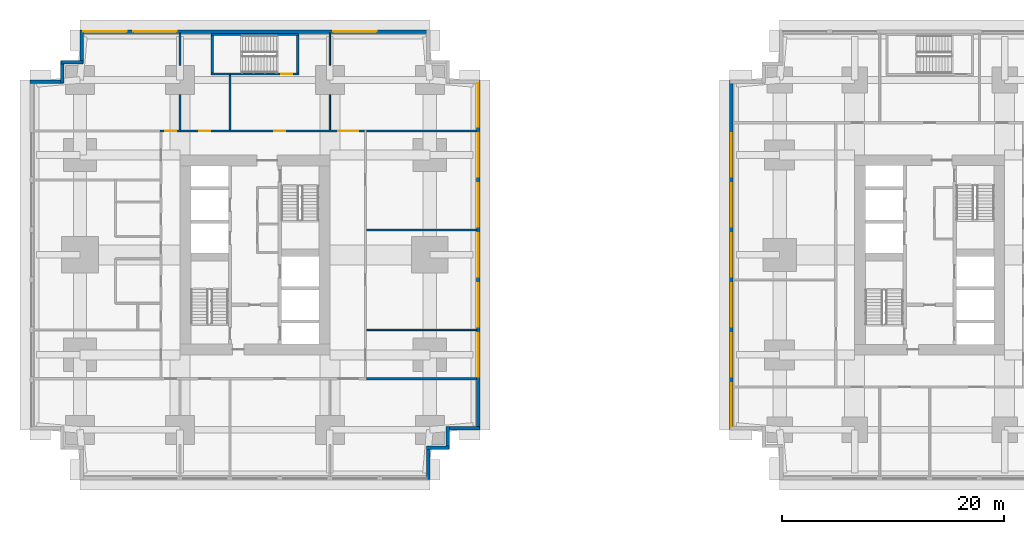
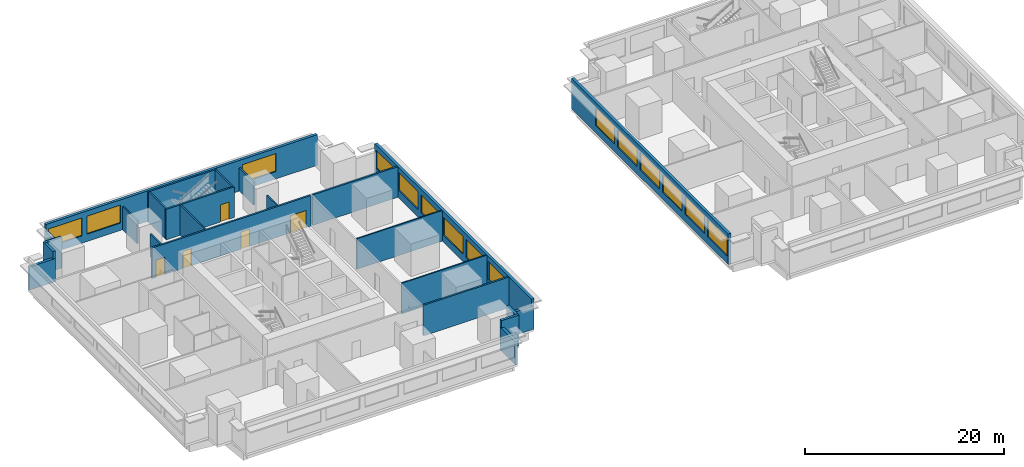
# One storey, part 5 of 11: 25 walls, 15 windows, 5 doors, 20 openings.
"""IFC4 building model written with IfcOpenShell, lengths in metres."""

from ifc_helpers import new_model, si_unit, direction, frame, frame_2d, origin, place, context, subcontext, project, spatial, rectangle, extrude, material, layer, layer_set, type_object, element, fill, save


model = new_model("IFC4")

# Units and contexts
model_context = context("Model", 3, precision=1e-05, world=origin(), true_north=direction((0.0, 1.0)))
body_context = subcontext(model_context, "Body", "Model", "MODEL_VIEW")
ifc_project = project(units=[si_unit("LENGTHUNIT", "METRE"), si_unit("AREAUNIT", "SQUARE_METRE"), si_unit("VOLUMEUNIT", "CUBIC_METRE"), si_unit("PLANEANGLEUNIT", "RADIAN"), si_unit("MASSUNIT", "GRAM", prefix="KILO")], contexts=[model_context])

# Site, building, storey
site_placement = place(None, origin())
site = spatial("IfcSite", under=ifc_project, at=site_placement, CompositionType="ELEMENT")
building_placement = place(site_placement, origin())
building = spatial("IfcBuilding", under=site, at=building_placement, Name="Namib Vertical Campus", CompositionType="ELEMENT")
storey_placement = place(building_placement, frame((0.0, 0.0, 41.0)))
storey = spatial("IfcBuildingStorey", under=building, at=storey_placement, Name="L09", CompositionType="ELEMENT", Elevation=41.0)

# Wall, openings, doors
ifc_material_1 = material(Name="Concrete masonry", Category="masonry")
ifc_layer_1 = layer(ifc_material_1, 0.199951171875)
ifc_layer_set_1 = layer_set([ifc_layer_1], Name="Corridor wall 200")
wall_type_1 = type_object("IfcWallType", Name="Corridor wall 200", PredefinedType="SOLIDWALL", material=ifc_layer_set_1)
wall_1_placement = place(storey_placement, frame((30.10009765625, 31.39990234375, 0.0), z_axis=(0.0, 0.0, 1.0), x_axis=(-1.0, 0.0, 0.0)))
wall_1 = element("IfcWall", 1, at=wall_1_placement, inside=storey, type_object=wall_type_1, Name="Corridor wall A L09 CN", PredefinedType="SOLIDWALL", context=body_context, shape_type="SweptSolid", body=[
    extrude(rectangle(XDim=18.400146484375, YDim=0.199951171875, at=frame_2d((9.2001953125, 0.0))), origin(), (0.0, 0.0, 1.0), 3.75),
])
opening_1_placement = place(wall_1_placement, frame((16.925048828125, 0.0, 0.0)))
opening_1 = element("IfcOpeningElement", 2, at=opening_1_placement, cuts=wall_1, Name="Opening CD1", PredefinedType="OPENING", context=body_context, shape_type="SweptSolid", body=[
    extrude(rectangle(XDim=1.0, YDim=2.10009765625, at=frame_2d((0.5, 1.050048828125))), frame((0.0, 0.10986328125, 0.0), z_axis=(0.0, -1.0, 0.0), x_axis=(1.0, 0.0, 0.0)), (0.0, 0.0, 1.0), 0.219970703125),
])
opening_2_placement = place(wall_1_placement, frame((13.85009765625, 0.0, 0.0)))
opening_2 = element("IfcOpeningElement", 3, at=opening_2_placement, cuts=wall_1, Name="Opening CD1", PredefinedType="OPENING", context=body_context, shape_type="SweptSolid", body=[
    extrude(rectangle(XDim=1.0, YDim=2.10009765625, at=frame_2d((0.5, 1.050048828125))), frame((0.0, 0.10986328125, 0.0), z_axis=(0.0, -1.0, 0.0), x_axis=(1.0, 0.0, 0.0)), (0.0, 0.0, 1.0), 0.219970703125),
])
opening_3_placement = place(wall_1_placement, frame((7.10009765625, 0.0, 0.0)))
opening_3 = element("IfcOpeningElement", 4, at=opening_3_placement, cuts=wall_1, Name="Opening CD4", PredefinedType="OPENING", context=body_context, shape_type="SweptSolid", body=[
    extrude(rectangle(XDim=1.0, YDim=2.10009765625, at=frame_2d((0.5, 1.050048828125))), frame((0.0, 0.10986328125, 0.0), z_axis=(0.0, -1.0, 0.0), x_axis=(1.0, 0.0, 0.0)), (0.0, 0.0, 1.0), 0.219970703125),
])
opening_4_placement = place(wall_1_placement, frame((0.550048828125, 0.0, 0.0)))
opening_4 = element("IfcOpeningElement", 5, at=opening_4_placement, cuts=wall_1, Name="Opening CD2", PredefinedType="OPENING", context=body_context, shape_type="SweptSolid", body=[
    extrude(rectangle(XDim=1.800048828125, YDim=2.10009765625, at=frame_2d((0.89990234375, 1.050048828125))), frame((0.0, 0.10986328125, 0.0), z_axis=(0.0, -1.0, 0.0), x_axis=(1.0, 0.0, 0.0)), (0.0, 0.0, 1.0), 0.219970703125),
])
ifc_material_2 = material(Name="Timber fire door leaf", Category="wood")
door_type_1 = type_object("IfcDoorType", Name="Corridor door 1000x2100 20 min", OperationType="SINGLE_SWING_LEFT", PredefinedType="DOOR", material=ifc_material_2)
door_1_placement = place(opening_1_placement, frame((1.0, 0.0, 0.0), z_axis=(0.0, 0.0, 1.0), x_axis=(-1.0, 0.0, 0.0)))
door_1 = element("IfcDoor", 6, at=door_1_placement, inside=storey, type_object=door_type_1, Name="Door CD1 A09-08", OperationType="SINGLE_SWING_RIGHT", OverallHeight=2.10009765625, OverallWidth=1.0, PredefinedType="DOOR", context=body_context, shape_type="SweptSolid", body=[
    extrude(rectangle(XDim=1.0, YDim=2.10009765625, at=frame_2d((0.5, 1.050048828125))), frame((0.0, 0.02490234375, 0.0), z_axis=(0.0, -1.0, 0.0), x_axis=(1.0, 0.0, 0.0)), (0.0, 0.0, 1.0), 0.050048828125),
])
fill(opening_1, door_1)
door_2_placement = place(opening_2_placement, frame((1.0, 0.0, 0.0), z_axis=(0.0, 0.0, 1.0), x_axis=(-1.0, 0.0, 0.0)))
door_2 = element("IfcDoor", 7, at=door_2_placement, inside=storey, type_object=door_type_1, Name="Door CD1 A09-09", OperationType="SINGLE_SWING_RIGHT", OverallHeight=2.10009765625, OverallWidth=1.0, PredefinedType="DOOR", context=body_context, shape_type="SweptSolid", body=[
    extrude(rectangle(XDim=1.0, YDim=2.10009765625, at=frame_2d((0.5, 1.050048828125))), frame((0.0, 0.02490234375, 0.0), z_axis=(0.0, -1.0, 0.0), x_axis=(1.0, 0.0, 0.0)), (0.0, 0.0, 1.0), 0.050048828125),
])
fill(opening_2, door_2)
ifc_material_3 = material(Name="Timber fire door leaf", Category="wood")
door_type_2 = type_object("IfcDoorType", Name="Corridor door 1000x2100 20 min double-acting", OperationType="DOUBLE_SWING_LEFT", PredefinedType="DOOR", material=ifc_material_3)
door_3_placement = place(opening_3_placement, origin())
door_3 = element("IfcDoor", 8, at=door_3_placement, inside=storey, type_object=door_type_2, Name="Door CD4 A09-10", OperationType="DOUBLE_SWING_LEFT", OverallHeight=2.10009765625, OverallWidth=1.0, PredefinedType="DOOR", context=body_context, shape_type="SweptSolid", body=[
    extrude(rectangle(XDim=1.0, YDim=2.10009765625, at=frame_2d((0.5, 1.050048828125))), frame((0.0, 0.02490234375, 0.0), z_axis=(0.0, -1.0, 0.0), x_axis=(1.0, 0.0, 0.0)), (0.0, 0.0, 1.0), 0.050048828125),
])
fill(opening_3, door_3)
ifc_material_4 = material(Name="Timber fire door leaf", Category="wood")
door_type_3 = type_object("IfcDoorType", Name="Corridor door double 1800x2100 20 min", OperationType="DOUBLE_DOOR_SINGLE_SWING", PredefinedType="DOOR", material=ifc_material_4)
door_4_placement = place(opening_4_placement, frame((1.800048828125, 0.0, 0.0), z_axis=(0.0, 0.0, 1.0), x_axis=(-1.0, 0.0, 0.0)))
door_4 = element("IfcDoor", 9, at=door_4_placement, inside=storey, type_object=door_type_3, Name="Door CD2 A09-11", OperationType="DOUBLE_DOOR_SINGLE_SWING", OverallHeight=2.10009765625, OverallWidth=1.800048828125, PredefinedType="DOOR", context=body_context, shape_type="SweptSolid", body=[
    extrude(rectangle(XDim=1.800048828125, YDim=2.10009765625, at=frame_2d((0.89990234375, 1.050048828125))), frame((0.0, 0.02490234375, 0.0), z_axis=(0.0, -1.0, 0.0), x_axis=(1.0, 0.0, 0.0)), (0.0, 0.0, 1.0), 0.050048828125),
])
fill(opening_4, door_4)

# Walls
for number, where, z_axis, x_axis, name in (
    (10, (30.300048828125, 9.10009765625, 0.0), (0.0, 0.0, 1.0), (1.0, 0.0, 0.0), "Partition A L09 BSE"),
    (11, (30.300048828125, 31.39990234375, 0.0), (0.0, 0.0, 1.0), (1.0, 0.0, 0.0), "Partition A L09 BNE"),
):
    element("IfcWall", number, at=place(storey_placement, frame(where, z_axis=z_axis, x_axis=x_axis)), inside=storey, type_object=wall_type_1, Name=name, PredefinedType="SOLIDWALL", context=body_context, shape_type="SweptSolid", body=[
        extrude(rectangle(XDim=9.89990234375, YDim=0.199951171875, at=frame_2d((4.949951171875, 0.0))), origin(), (0.0, 0.0, 1.0), 3.75),
    ])
ifc_material_5 = material(Name="Concrete C40/50", Category="concrete")
ifc_layer_2 = layer(ifc_material_5, 0.300048828125)
ifc_layer_set_2 = layer_set([ifc_layer_2], Name="Concrete C40/50")
wall_type_2 = type_object("IfcWallType", Name="External wall 300 board-marked concrete", PredefinedType="STANDARD", material=ifc_layer_set_2)
wall_2_placement = place(storey_placement, frame((35.85009765625, 0.02001953125, 0.0), z_axis=(0.0, 0.0, 1.0), x_axis=(0.0, 1.0, 0.0)))
element("IfcWall", 12, at=wall_2_placement, inside=storey, type_object=wall_type_2, Name="External wall L09 F02", PredefinedType="STANDARD", context=body_context, shape_type="SweptSolid", body=[
    extrude(rectangle(XDim=3.010009765625, YDim=0.300048828125, at=frame_2d((1.5048828125, 0.0))), origin(), (0.0, 0.0, 1.0), 2.85009765625),
])
for number, where, z_axis, x_axis, name in (
    (13, (35.719970703125, 2.89990234375, 0.0), (0.0, 0.0, 1.0), (1.0, 0.0, 0.0), "External wall L09 F03"),
    (14, (37.60009765625, 2.77001953125, 0.0), (0.0, 0.0, 1.0), (0.0, 1.0, 0.0), "External wall L09 F04"),
):
    element("IfcWall", number, at=place(storey_placement, frame(where, z_axis=z_axis, x_axis=x_axis)), inside=storey, type_object=wall_type_2, Name=name, PredefinedType="STANDARD", context=body_context, shape_type="SweptSolid", body=[
        extrude(rectangle(XDim=2.010009765625, YDim=0.300048828125, at=frame_2d((1.0048828125, 0.0))), origin(), (0.0, 0.0, 1.0), 3.75),
    ])
wall_3_placement = place(storey_placement, frame((37.469970703125, 4.64990234375, 0.0), z_axis=(0.0, 0.0, 1.0), x_axis=(1.0, 0.0, 0.0)))
element("IfcWall", 15, at=wall_3_placement, inside=storey, type_object=wall_type_2, Name="External wall L09 F05", PredefinedType="STANDARD", context=body_context, shape_type="SweptSolid", body=[
    extrude(rectangle(XDim=3.010009765625, YDim=0.300048828125, at=frame_2d((1.5048828125, 0.0))), origin(), (0.0, 0.0, 1.0), 2.85009765625),
])

# Wall, openings, windows
wall_4_placement = place(storey_placement, frame((40.35009765625, 4.52001953125, 0.0), z_axis=(0.0, 0.0, 1.0), x_axis=(0.0, 1.0, 0.0)))
wall_4 = element("IfcWall", 16, at=wall_4_placement, inside=storey, type_object=wall_type_2, Name="External wall L09 F06", PredefinedType="STANDARD", context=body_context, shape_type="SweptSolid", body=[
    extrude(rectangle(XDim=31.4599609375, YDim=0.300048828125, at=frame_2d((15.72998046875, 0.0))), origin(), (0.0, 0.0, 1.0), 3.75),
])
opening_5_placement = place(wall_4_placement, frame((4.780029296875, 0.0, 0.89990234375)))
opening_5 = element("IfcOpeningElement", 17, at=opening_5_placement, cuts=wall_4, Name="Opening W1", PredefinedType="OPENING", context=body_context, shape_type="SweptSolid", body=[
    extrude(rectangle(XDim=3.89990234375, YDim=2.199951171875, at=frame_2d((1.949951171875, 1.10009765625))), frame((0.0, 0.159912109375, 0.0), z_axis=(0.0, -1.0, 0.0), x_axis=(1.0, 0.0, 0.0)), (0.0, 0.0, 1.0), 0.320068359375),
])
opening_6_placement = place(wall_4_placement, frame((9.280029296875, 0.0, 0.89990234375)))
opening_6 = element("IfcOpeningElement", 18, at=opening_6_placement, cuts=wall_4, Name="Opening W1", PredefinedType="OPENING", context=body_context, shape_type="SweptSolid", body=[
    extrude(rectangle(XDim=3.89990234375, YDim=2.199951171875, at=frame_2d((1.949951171875, 1.10009765625))), frame((0.0, 0.159912109375, 0.0), z_axis=(0.0, -1.0, 0.0), x_axis=(1.0, 0.0, 0.0)), (0.0, 0.0, 1.0), 0.320068359375),
])
opening_7_placement = place(wall_4_placement, frame((13.780029296875, 0.0, 0.89990234375)))
opening_7 = element("IfcOpeningElement", 19, at=opening_7_placement, cuts=wall_4, Name="Opening W1", PredefinedType="OPENING", context=body_context, shape_type="SweptSolid", body=[
    extrude(rectangle(XDim=3.89990234375, YDim=2.199951171875, at=frame_2d((1.949951171875, 1.10009765625))), frame((0.0, 0.159912109375, 0.0), z_axis=(0.0, -1.0, 0.0), x_axis=(1.0, 0.0, 0.0)), (0.0, 0.0, 1.0), 0.320068359375),
])
opening_8_placement = place(wall_4_placement, frame((18.280029296875, 0.0, 0.89990234375)))
opening_8 = element("IfcOpeningElement", 20, at=opening_8_placement, cuts=wall_4, Name="Opening W1", PredefinedType="OPENING", context=body_context, shape_type="SweptSolid", body=[
    extrude(rectangle(XDim=3.89990234375, YDim=2.199951171875, at=frame_2d((1.949951171875, 1.10009765625))), frame((0.0, 0.159912109375, 0.0), z_axis=(0.0, -1.0, 0.0), x_axis=(1.0, 0.0, 0.0)), (0.0, 0.0, 1.0), 0.320068359375),
])
opening_9_placement = place(wall_4_placement, frame((22.780029296875, 0.0, 0.89990234375)))
opening_9 = element("IfcOpeningElement", 21, at=opening_9_placement, cuts=wall_4, Name="Opening W1", PredefinedType="OPENING", context=body_context, shape_type="SweptSolid", body=[
    extrude(rectangle(XDim=3.89990234375, YDim=2.199951171875, at=frame_2d((1.949951171875, 1.10009765625))), frame((0.0, 0.159912109375, 0.0), z_axis=(0.0, -1.0, 0.0), x_axis=(1.0, 0.0, 0.0)), (0.0, 0.0, 1.0), 0.320068359375),
])
opening_10_placement = place(wall_4_placement, frame((27.280029296875, 0.0, 0.89990234375)))
opening_10 = element("IfcOpeningElement", 22, at=opening_10_placement, cuts=wall_4, Name="Opening W1", PredefinedType="OPENING", context=body_context, shape_type="SweptSolid", body=[
    extrude(rectangle(XDim=3.89990234375, YDim=2.199951171875, at=frame_2d((1.949951171875, 1.10009765625))), frame((0.0, 0.159912109375, 0.0), z_axis=(0.0, -1.0, 0.0), x_axis=(1.0, 0.0, 0.0)), (0.0, 0.0, 1.0), 0.320068359375),
])
ifc_material_6 = material(Name="Dark tinted glass in black aluminium frame", Category="aluminium")
window_type = type_object("IfcWindowType", Name="Ribbon window 3900x2200", PartitioningType="SINGLE_PANEL", PredefinedType="WINDOW", material=ifc_material_6)
window_1_placement = place(opening_5_placement, origin())
window_1 = element("IfcWindow", 23, at=window_1_placement, inside=storey, type_object=window_type, Name="Window W1 L09 F06-2", OverallHeight=2.199951171875, OverallWidth=3.89990234375, PartitioningType="SINGLE_PANEL", PredefinedType="WINDOW", context=body_context, shape_type="SweptSolid", body=[
    extrude(rectangle(XDim=3.89990234375, YDim=2.199951171875, at=frame_2d((1.949951171875, 1.10009765625))), frame((0.0, 0.030029296875, 0.0), z_axis=(0.0, -1.0, 0.0), x_axis=(1.0, 0.0, 0.0)), (0.0, 0.0, 1.0), 0.06005859375),
])
fill(opening_5, window_1)
window_2_placement = place(opening_6_placement, origin())
window_2 = element("IfcWindow", 24, at=window_2_placement, inside=storey, type_object=window_type, Name="Window W1 L09 F06-3", OverallHeight=2.199951171875, OverallWidth=3.89990234375, PartitioningType="SINGLE_PANEL", PredefinedType="WINDOW", context=body_context, shape_type="SweptSolid", body=[
    extrude(rectangle(XDim=3.89990234375, YDim=2.199951171875, at=frame_2d((1.949951171875, 1.10009765625))), frame((0.0, 0.030029296875, 0.0), z_axis=(0.0, -1.0, 0.0), x_axis=(1.0, 0.0, 0.0)), (0.0, 0.0, 1.0), 0.06005859375),
])
fill(opening_6, window_2)
window_3_placement = place(opening_7_placement, origin())
window_3 = element("IfcWindow", 25, at=window_3_placement, inside=storey, type_object=window_type, Name="Window W1 L09 F06-4", OverallHeight=2.199951171875, OverallWidth=3.89990234375, PartitioningType="SINGLE_PANEL", PredefinedType="WINDOW", context=body_context, shape_type="SweptSolid", body=[
    extrude(rectangle(XDim=3.89990234375, YDim=2.199951171875, at=frame_2d((1.949951171875, 1.10009765625))), frame((0.0, 0.030029296875, 0.0), z_axis=(0.0, -1.0, 0.0), x_axis=(1.0, 0.0, 0.0)), (0.0, 0.0, 1.0), 0.06005859375),
])
fill(opening_7, window_3)
window_4_placement = place(opening_8_placement, origin())
window_4 = element("IfcWindow", 26, at=window_4_placement, inside=storey, type_object=window_type, Name="Window W1 L09 F06-5", OverallHeight=2.199951171875, OverallWidth=3.89990234375, PartitioningType="SINGLE_PANEL", PredefinedType="WINDOW", context=body_context, shape_type="SweptSolid", body=[
    extrude(rectangle(XDim=3.89990234375, YDim=2.199951171875, at=frame_2d((1.949951171875, 1.10009765625))), frame((0.0, 0.030029296875, 0.0), z_axis=(0.0, -1.0, 0.0), x_axis=(1.0, 0.0, 0.0)), (0.0, 0.0, 1.0), 0.06005859375),
])
fill(opening_8, window_4)
window_5_placement = place(opening_9_placement, origin())
window_5 = element("IfcWindow", 27, at=window_5_placement, inside=storey, type_object=window_type, Name="Window W1 L09 F06-6", OverallHeight=2.199951171875, OverallWidth=3.89990234375, PartitioningType="SINGLE_PANEL", PredefinedType="WINDOW", context=body_context, shape_type="SweptSolid", body=[
    extrude(rectangle(XDim=3.89990234375, YDim=2.199951171875, at=frame_2d((1.949951171875, 1.10009765625))), frame((0.0, 0.030029296875, 0.0), z_axis=(0.0, -1.0, 0.0), x_axis=(1.0, 0.0, 0.0)), (0.0, 0.0, 1.0), 0.06005859375),
])
fill(opening_9, window_5)
window_6_placement = place(opening_10_placement, origin())
window_6 = element("IfcWindow", 28, at=window_6_placement, inside=storey, type_object=window_type, Name="Window W1 L09 F06-7", OverallHeight=2.199951171875, OverallWidth=3.89990234375, PartitioningType="SINGLE_PANEL", PredefinedType="WINDOW", context=body_context, shape_type="SweptSolid", body=[
    extrude(rectangle(XDim=3.89990234375, YDim=2.199951171875, at=frame_2d((1.949951171875, 1.10009765625))), frame((0.0, 0.030029296875, 0.0), z_axis=(0.0, -1.0, 0.0), x_axis=(1.0, 0.0, 0.0)), (0.0, 0.0, 1.0), 0.06005859375),
])
fill(opening_10, window_6)

wall_5_placement = place(storey_placement, frame((35.97998046875, 40.35009765625, 0.0), z_axis=(0.0, 0.0, 1.0), x_axis=(-1.0, 0.0, 0.0)))
wall_5 = element("IfcWall", 29, at=wall_5_placement, inside=storey, type_object=wall_type_2, Name="External wall L09 F11", PredefinedType="STANDARD", context=body_context, shape_type="SweptSolid", body=[
    extrude(rectangle(XDim=31.4599609375, YDim=0.300048828125, at=frame_2d((15.72998046875, 0.0))), origin(), (0.0, 0.0, 1.0), 3.75),
])
opening_11_placement = place(wall_5_placement, frame((27.280029296875, 0.0, 0.89990234375)))
opening_11 = element("IfcOpeningElement", 30, at=opening_11_placement, cuts=wall_5, Name="Opening W1", PredefinedType="OPENING", context=body_context, shape_type="SweptSolid", body=[
    extrude(rectangle(XDim=3.89990234375, YDim=2.199951171875, at=frame_2d((1.949951171875, 1.10009765625))), frame((0.0, 0.159912109375, 0.0), z_axis=(0.0, -1.0, 0.0), x_axis=(1.0, 0.0, 0.0)), (0.0, 0.0, 1.0), 0.320068359375),
])
opening_12_placement = place(wall_5_placement, frame((22.780029296875, 0.0, 0.89990234375)))
opening_12 = element("IfcOpeningElement", 31, at=opening_12_placement, cuts=wall_5, Name="Opening W1", PredefinedType="OPENING", context=body_context, shape_type="SweptSolid", body=[
    extrude(rectangle(XDim=3.89990234375, YDim=2.199951171875, at=frame_2d((1.949951171875, 1.10009765625))), frame((0.0, 0.159912109375, 0.0), z_axis=(0.0, -1.0, 0.0), x_axis=(1.0, 0.0, 0.0)), (0.0, 0.0, 1.0), 0.320068359375),
])
opening_13_placement = place(wall_5_placement, frame((4.780029296875, 0.0, 0.89990234375)))
opening_13 = element("IfcOpeningElement", 32, at=opening_13_placement, cuts=wall_5, Name="Opening W1", PredefinedType="OPENING", context=body_context, shape_type="SweptSolid", body=[
    extrude(rectangle(XDim=3.89990234375, YDim=2.199951171875, at=frame_2d((1.949951171875, 1.10009765625))), frame((0.0, 0.159912109375, 0.0), z_axis=(0.0, -1.0, 0.0), x_axis=(1.0, 0.0, 0.0)), (0.0, 0.0, 1.0), 0.320068359375),
])
window_7_placement = place(opening_11_placement, origin())
window_7 = element("IfcWindow", 33, at=window_7_placement, inside=storey, type_object=window_type, Name="Window W1 L09 F11-1", OverallHeight=2.199951171875, OverallWidth=3.89990234375, PartitioningType="SINGLE_PANEL", PredefinedType="WINDOW", context=body_context, shape_type="SweptSolid", body=[
    extrude(rectangle(XDim=3.89990234375, YDim=2.199951171875, at=frame_2d((1.949951171875, 1.10009765625))), frame((0.0, 0.030029296875, 0.0), z_axis=(0.0, -1.0, 0.0), x_axis=(1.0, 0.0, 0.0)), (0.0, 0.0, 1.0), 0.06005859375),
])
fill(opening_11, window_7)
window_8_placement = place(opening_12_placement, origin())
window_8 = element("IfcWindow", 34, at=window_8_placement, inside=storey, type_object=window_type, Name="Window W1 L09 F11-2", OverallHeight=2.199951171875, OverallWidth=3.89990234375, PartitioningType="SINGLE_PANEL", PredefinedType="WINDOW", context=body_context, shape_type="SweptSolid", body=[
    extrude(rectangle(XDim=3.89990234375, YDim=2.199951171875, at=frame_2d((1.949951171875, 1.10009765625))), frame((0.0, 0.030029296875, 0.0), z_axis=(0.0, -1.0, 0.0), x_axis=(1.0, 0.0, 0.0)), (0.0, 0.0, 1.0), 0.06005859375),
])
fill(opening_12, window_8)
window_9_placement = place(opening_13_placement, origin())
window_9 = element("IfcWindow", 35, at=window_9_placement, inside=storey, type_object=window_type, Name="Window W1 L09 F11-6", OverallHeight=2.199951171875, OverallWidth=3.89990234375, PartitioningType="SINGLE_PANEL", PredefinedType="WINDOW", context=body_context, shape_type="SweptSolid", body=[
    extrude(rectangle(XDim=3.89990234375, YDim=2.199951171875, at=frame_2d((1.949951171875, 1.10009765625))), frame((0.0, 0.030029296875, 0.0), z_axis=(0.0, -1.0, 0.0), x_axis=(1.0, 0.0, 0.0)), (0.0, 0.0, 1.0), 0.06005859375),
])
fill(opening_13, window_9)

# Walls
wall_6_placement = place(storey_placement, frame((4.64990234375, 40.47998046875, 0.0), z_axis=(0.0, 0.0, 1.0), x_axis=(0.0, -1.0, 0.0)))
element("IfcWall", 36, at=wall_6_placement, inside=storey, type_object=wall_type_2, Name="External wall L09 F12", PredefinedType="STANDARD", context=body_context, shape_type="SweptSolid", body=[
    extrude(rectangle(XDim=3.010009765625, YDim=0.300048828125, at=frame_2d((1.5048828125, 0.0))), origin(), (0.0, 0.0, 1.0), 2.85009765625),
])
for number, where, z_axis, x_axis, name in (
    (37, (4.780029296875, 37.60009765625, 0.0), (0.0, 0.0, 1.0), (-1.0, 0.0, 0.0), "External wall L09 F13"),
    (38, (2.89990234375, 37.72998046875, 0.0), (0.0, 0.0, 1.0), (0.0, -1.0, 0.0), "External wall L09 F14"),
):
    element("IfcWall", number, at=place(storey_placement, frame(where, z_axis=z_axis, x_axis=x_axis)), inside=storey, type_object=wall_type_2, Name=name, PredefinedType="STANDARD", context=body_context, shape_type="SweptSolid", body=[
        extrude(rectangle(XDim=2.010009765625, YDim=0.300048828125, at=frame_2d((1.0048828125, 0.0))), origin(), (0.0, 0.0, 1.0), 3.75),
    ])
wall_7_placement = place(storey_placement, frame((3.030029296875, 35.85009765625, 0.0), z_axis=(0.0, 0.0, 1.0), x_axis=(-1.0, 0.0, 0.0)))
element("IfcWall", 39, at=wall_7_placement, inside=storey, type_object=wall_type_2, Name="External wall L09 F15", PredefinedType="STANDARD", context=body_context, shape_type="SweptSolid", body=[
    extrude(rectangle(XDim=3.010009765625, YDim=0.300048828125, at=frame_2d((1.5048828125, 0.0))), origin(), (0.0, 0.0, 1.0), 2.85009765625),
])

# Wall, openings, windows
wall_8_placement = place(storey_placement, frame((63.14990234375, 35.97998046875, 0.0), z_axis=(0.0, 0.0, 1.0), x_axis=(0.0, -1.0, 0.0)))
wall_8 = element("IfcWall", 40, at=wall_8_placement, inside=storey, type_object=wall_type_2, Name="External wall L09 F16", PredefinedType="STANDARD", context=body_context, shape_type="SweptSolid", body=[
    extrude(rectangle(XDim=31.4599609375, YDim=0.300048828125, at=frame_2d((15.72998046875, 0.0))), origin(), (0.0, 0.0, 1.0), 3.75),
])
opening_14_placement = place(wall_8_placement, frame((27.280029296875, 0.0, 0.89990234375)))
opening_14 = element("IfcOpeningElement", 41, at=opening_14_placement, cuts=wall_8, Name="Opening W1", PredefinedType="OPENING", context=body_context, shape_type="SweptSolid", body=[
    extrude(rectangle(XDim=3.89990234375, YDim=2.199951171875, at=frame_2d((1.949951171875, 1.10009765625))), frame((0.0, 0.159912109375, 0.0), z_axis=(0.0, -1.0, 0.0), x_axis=(1.0, 0.0, 0.0)), (0.0, 0.0, 1.0), 0.320068359375),
])
opening_15_placement = place(wall_8_placement, frame((22.780029296875, 0.0, 0.89990234375)))
opening_15 = element("IfcOpeningElement", 42, at=opening_15_placement, cuts=wall_8, Name="Opening W1", PredefinedType="OPENING", context=body_context, shape_type="SweptSolid", body=[
    extrude(rectangle(XDim=3.89990234375, YDim=2.199951171875, at=frame_2d((1.949951171875, 1.10009765625))), frame((0.0, 0.159912109375, 0.0), z_axis=(0.0, -1.0, 0.0), x_axis=(1.0, 0.0, 0.0)), (0.0, 0.0, 1.0), 0.320068359375),
])
opening_16_placement = place(wall_8_placement, frame((18.280029296875, 0.0, 0.89990234375)))
opening_16 = element("IfcOpeningElement", 43, at=opening_16_placement, cuts=wall_8, Name="Opening W1", PredefinedType="OPENING", context=body_context, shape_type="SweptSolid", body=[
    extrude(rectangle(XDim=3.89990234375, YDim=2.199951171875, at=frame_2d((1.949951171875, 1.10009765625))), frame((0.0, 0.159912109375, 0.0), z_axis=(0.0, -1.0, 0.0), x_axis=(1.0, 0.0, 0.0)), (0.0, 0.0, 1.0), 0.320068359375),
])
opening_17_placement = place(wall_8_placement, frame((13.780029296875, 0.0, 0.89990234375)))
opening_17 = element("IfcOpeningElement", 44, at=opening_17_placement, cuts=wall_8, Name="Opening W1", PredefinedType="OPENING", context=body_context, shape_type="SweptSolid", body=[
    extrude(rectangle(XDim=3.89990234375, YDim=2.199951171875, at=frame_2d((1.949951171875, 1.10009765625))), frame((0.0, 0.159912109375, 0.0), z_axis=(0.0, -1.0, 0.0), x_axis=(1.0, 0.0, 0.0)), (0.0, 0.0, 1.0), 0.320068359375),
])
opening_18_placement = place(wall_8_placement, frame((9.280029296875, 0.0, 0.89990234375)))
opening_18 = element("IfcOpeningElement", 45, at=opening_18_placement, cuts=wall_8, Name="Opening W1", PredefinedType="OPENING", context=body_context, shape_type="SweptSolid", body=[
    extrude(rectangle(XDim=3.89990234375, YDim=2.199951171875, at=frame_2d((1.949951171875, 1.10009765625))), frame((0.0, 0.159912109375, 0.0), z_axis=(0.0, -1.0, 0.0), x_axis=(1.0, 0.0, 0.0)), (0.0, 0.0, 1.0), 0.320068359375),
])
opening_19_placement = place(wall_8_placement, frame((4.780029296875, 0.0, 0.89990234375)))
opening_19 = element("IfcOpeningElement", 46, at=opening_19_placement, cuts=wall_8, Name="Opening W1", PredefinedType="OPENING", context=body_context, shape_type="SweptSolid", body=[
    extrude(rectangle(XDim=3.89990234375, YDim=2.199951171875, at=frame_2d((1.949951171875, 1.10009765625))), frame((0.0, 0.159912109375, 0.0), z_axis=(0.0, -1.0, 0.0), x_axis=(1.0, 0.0, 0.0)), (0.0, 0.0, 1.0), 0.320068359375),
])
window_10_placement = place(opening_14_placement, origin())
window_10 = element("IfcWindow", 47, at=window_10_placement, inside=storey, type_object=window_type, Name="Window W1 L09 F16-1", OverallHeight=2.199951171875, OverallWidth=3.89990234375, PartitioningType="SINGLE_PANEL", PredefinedType="WINDOW", context=body_context, shape_type="SweptSolid", body=[
    extrude(rectangle(XDim=3.89990234375, YDim=2.199951171875, at=frame_2d((1.949951171875, 1.10009765625))), frame((0.0, 0.030029296875, 0.0), z_axis=(0.0, -1.0, 0.0), x_axis=(1.0, 0.0, 0.0)), (0.0, 0.0, 1.0), 0.06005859375),
])
fill(opening_14, window_10)
window_11_placement = place(opening_15_placement, origin())
window_11 = element("IfcWindow", 48, at=window_11_placement, inside=storey, type_object=window_type, Name="Window W1 L09 F16-2", OverallHeight=2.199951171875, OverallWidth=3.89990234375, PartitioningType="SINGLE_PANEL", PredefinedType="WINDOW", context=body_context, shape_type="SweptSolid", body=[
    extrude(rectangle(XDim=3.89990234375, YDim=2.199951171875, at=frame_2d((1.949951171875, 1.10009765625))), frame((0.0, 0.030029296875, 0.0), z_axis=(0.0, -1.0, 0.0), x_axis=(1.0, 0.0, 0.0)), (0.0, 0.0, 1.0), 0.06005859375),
])
fill(opening_15, window_11)
window_12_placement = place(opening_16_placement, origin())
window_12 = element("IfcWindow", 49, at=window_12_placement, inside=storey, type_object=window_type, Name="Window W1 L09 F16-3", OverallHeight=2.199951171875, OverallWidth=3.89990234375, PartitioningType="SINGLE_PANEL", PredefinedType="WINDOW", context=body_context, shape_type="SweptSolid", body=[
    extrude(rectangle(XDim=3.89990234375, YDim=2.199951171875, at=frame_2d((1.949951171875, 1.10009765625))), frame((0.0, 0.030029296875, 0.0), z_axis=(0.0, -1.0, 0.0), x_axis=(1.0, 0.0, 0.0)), (0.0, 0.0, 1.0), 0.06005859375),
])
fill(opening_16, window_12)
window_13_placement = place(opening_17_placement, origin())
window_13 = element("IfcWindow", 50, at=window_13_placement, inside=storey, type_object=window_type, Name="Window W1 L09 F16-4", OverallHeight=2.199951171875, OverallWidth=3.89990234375, PartitioningType="SINGLE_PANEL", PredefinedType="WINDOW", context=body_context, shape_type="SweptSolid", body=[
    extrude(rectangle(XDim=3.89990234375, YDim=2.199951171875, at=frame_2d((1.949951171875, 1.10009765625))), frame((0.0, 0.030029296875, 0.0), z_axis=(0.0, -1.0, 0.0), x_axis=(1.0, 0.0, 0.0)), (0.0, 0.0, 1.0), 0.06005859375),
])
fill(opening_17, window_13)
window_14_placement = place(opening_18_placement, origin())
window_14 = element("IfcWindow", 51, at=window_14_placement, inside=storey, type_object=window_type, Name="Window W1 L09 F16-5", OverallHeight=2.199951171875, OverallWidth=3.89990234375, PartitioningType="SINGLE_PANEL", PredefinedType="WINDOW", context=body_context, shape_type="SweptSolid", body=[
    extrude(rectangle(XDim=3.89990234375, YDim=2.199951171875, at=frame_2d((1.949951171875, 1.10009765625))), frame((0.0, 0.030029296875, 0.0), z_axis=(0.0, -1.0, 0.0), x_axis=(1.0, 0.0, 0.0)), (0.0, 0.0, 1.0), 0.06005859375),
])
fill(opening_18, window_14)
window_15_placement = place(opening_19_placement, origin())
window_15 = element("IfcWindow", 52, at=window_15_placement, inside=storey, type_object=window_type, Name="Window W1 L09 F16-6", OverallHeight=2.199951171875, OverallWidth=3.89990234375, PartitioningType="SINGLE_PANEL", PredefinedType="WINDOW", context=body_context, shape_type="SweptSolid", body=[
    extrude(rectangle(XDim=3.89990234375, YDim=2.199951171875, at=frame_2d((1.949951171875, 1.10009765625))), frame((0.0, 0.030029296875, 0.0), z_axis=(0.0, -1.0, 0.0), x_axis=(1.0, 0.0, 0.0)), (0.0, 0.0, 1.0), 0.06005859375),
])
fill(opening_19, window_15)

# Walls
ifc_material_7 = material(Name="Gypsum board on steel studs", Category="steel")
ifc_layer_3 = layer(ifc_material_7, 0.14990234375)
ifc_layer_set_3 = layer_set([ifc_layer_3], Name="Gypsum board on steel studs")
wall_type_3 = type_object("IfcWallType", Name="Partition 150", PredefinedType="PARTITIONING", material=ifc_layer_set_3)
wall_9_placement = place(storey_placement, frame((13.5, 31.5, 0.0), z_axis=(0.0, 0.0, 1.0), x_axis=(0.0, 1.0, 0.0)))
element("IfcWall", 53, at=wall_9_placement, inside=storey, type_object=wall_type_3, Name="Partition A L09 PN1", PredefinedType="PARTITIONING", context=body_context, shape_type="SweptSolid", body=[
    extrude(rectangle(XDim=3.179931640625, YDim=0.14990234375, at=frame_2d((1.58984375, 0.0))), origin(), (0.0, 0.0, 1.0), 2.85009765625),
])
wall_10_placement = place(storey_placement, frame((13.5, 37.320068359375, 0.0), z_axis=(0.0, 0.0, 1.0), x_axis=(0.0, 1.0, 0.0)))
element("IfcWall", 54, at=wall_10_placement, inside=storey, type_object=wall_type_3, Name="Partition A L09 PN1", PredefinedType="PARTITIONING", context=body_context, shape_type="SweptSolid", body=[
    extrude(rectangle(XDim=2.8798828125, YDim=0.14990234375, at=frame_2d((1.43994140625, 0.0))), origin(), (0.0, 0.0, 1.0), 2.85009765625),
])
wall_11_placement = place(storey_placement, frame((18.0, 31.5, 0.0), z_axis=(0.0, 0.0, 1.0), x_axis=(0.0, 1.0, 0.0)))
element("IfcWall", 55, at=wall_11_placement, inside=storey, type_object=wall_type_3, Name="Partition A L09 PN2", PredefinedType="PARTITIONING", context=body_context, shape_type="SweptSolid", body=[
    extrude(rectangle(XDim=4.949951171875, YDim=0.14990234375, at=frame_2d((2.47509765625, 0.0))), origin(), (0.0, 0.0, 1.0), 3.75),
])
wall_12_placement = place(storey_placement, frame((27.0, 31.5, 0.0), z_axis=(0.0, 0.0, 1.0), x_axis=(0.0, 1.0, 0.0)))
element("IfcWall", 56, at=wall_12_placement, inside=storey, type_object=wall_type_3, Name="Partition A L09 PN3", PredefinedType="PARTITIONING", context=body_context, shape_type="SweptSolid", body=[
    extrude(rectangle(XDim=3.179931640625, YDim=0.14990234375, at=frame_2d((1.58984375, 0.0))), origin(), (0.0, 0.0, 1.0), 2.85009765625),
])
wall_13_placement = place(storey_placement, frame((27.0, 37.320068359375, 0.0), z_axis=(0.0, 0.0, 1.0), x_axis=(0.0, 1.0, 0.0)))
element("IfcWall", 57, at=wall_13_placement, inside=storey, type_object=wall_type_3, Name="Partition A L09 PN3", PredefinedType="PARTITIONING", context=body_context, shape_type="SweptSolid", body=[
    extrude(rectangle(XDim=2.8798828125, YDim=0.14990234375, at=frame_2d((1.43994140625, 0.0))), origin(), (0.0, 0.0, 1.0), 2.85009765625),
])
for number, where, z_axis, x_axis, name in (
    (58, (30.300048828125, 13.5, 0.0), (0.0, 0.0, 1.0), (1.0, 0.0, 0.0), "Partition A L09 PE1"),
    (59, (30.300048828125, 22.5, 0.0), (0.0, 0.0, 1.0), (1.0, 0.0, 0.0), "Partition A L09 PE2"),
):
    element("IfcWall", number, at=place(storey_placement, frame(where, z_axis=z_axis, x_axis=x_axis)), inside=storey, type_object=wall_type_3, Name=name, PredefinedType="PARTITIONING", context=body_context, shape_type="SweptSolid", body=[
        extrude(rectangle(XDim=9.89990234375, YDim=0.14990234375, at=frame_2d((4.949951171875, 0.0))), origin(), (0.0, 0.0, 1.0), 3.75),
    ])

# Wall, opening, door
ifc_material_8 = material(Name="Concrete C40/50", Category="concrete")
ifc_layer_4 = layer(ifc_material_8, 0.199951171875)
ifc_layer_set_4 = layer_set([ifc_layer_4], Name="Concrete C40/50")
wall_type_4 = type_object("IfcWallType", Name="Stair enclosure wall RC 200", PredefinedType="SOLIDWALL", material=ifc_layer_set_4)
wall_14_placement = place(storey_placement, frame((16.300048828125, 36.550048828125, 0.0), z_axis=(0.0, 0.0, 1.0), x_axis=(1.0, 0.0, 0.0)))
wall_14 = element("IfcWall", 60, at=wall_14_placement, inside=storey, type_object=wall_type_4, Name="Stair enclosure wall A-S3 L09 S", PredefinedType="SOLIDWALL", context=body_context, shape_type="SweptSolid", body=[
    extrude(rectangle(XDim=7.89990234375, YDim=0.199951171875, at=frame_2d((3.949951171875, 0.0))), origin(), (0.0, 0.0, 1.0), 3.75),
])
opening_20_placement = place(wall_14_placement, frame((6.300048828125, 0.0, 0.0)))
opening_20 = element("IfcOpeningElement", 61, at=opening_20_placement, cuts=wall_14, Name="Opening FD1", PredefinedType="OPENING", context=body_context, shape_type="SweptSolid", body=[
    extrude(rectangle(XDim=1.0, YDim=2.10009765625, at=frame_2d((0.5, 1.050048828125))), frame((0.0, 0.10986328125, 0.0), z_axis=(0.0, -1.0, 0.0), x_axis=(1.0, 0.0, 0.0)), (0.0, 0.0, 1.0), 0.219970703125),
])
ifc_material_9 = material(Name="Steel fire door", Category="steel")
door_type_4 = type_object("IfcDoorType", Name="Fire door 1000x2100", OperationType="SINGLE_SWING_RIGHT", PredefinedType="DOOR", material=ifc_material_9)
door_5_placement = place(opening_20_placement, origin())
door_5 = element("IfcDoor", 62, at=door_5_placement, inside=storey, type_object=door_type_4, Name="Stair door FD1 A L09 S3", OperationType="SINGLE_SWING_RIGHT", OverallHeight=2.10009765625, OverallWidth=1.0, PredefinedType="DOOR", context=body_context, shape_type="SweptSolid", body=[
    extrude(rectangle(XDim=1.0, YDim=2.10009765625, at=frame_2d((0.5, 1.050048828125))), frame((0.0, 0.02490234375, 0.0), z_axis=(0.0, -1.0, 0.0), x_axis=(1.0, 0.0, 0.0)), (0.0, 0.0, 1.0), 0.050048828125),
])
fill(opening_20, door_5)

# Walls
wall_15_placement = place(storey_placement, frame((16.300048828125, 40.10009765625, 0.0), z_axis=(0.0, 0.0, 1.0), x_axis=(1.0, 0.0, 0.0)))
element("IfcWall", 63, at=wall_15_placement, inside=storey, type_object=wall_type_4, Name="Stair enclosure wall A-S3 L09 N", PredefinedType="SOLIDWALL", context=body_context, shape_type="SweptSolid", body=[
    extrude(rectangle(XDim=7.89990234375, YDim=0.199951171875, at=frame_2d((3.949951171875, 0.0))), origin(), (0.0, 0.0, 1.0), 3.75),
])
for number, where, z_axis, x_axis, name in (
    (64, (16.39990234375, 36.64990234375, 0.0), (0.0, 0.0, 1.0), (0.0, 1.0, 0.0), "Stair enclosure wall A-S3 L09 W"),
    (65, (24.10009765625, 36.64990234375, 0.0), (0.0, 0.0, 1.0), (0.0, 1.0, 0.0), "Stair enclosure wall A-S3 L09 E"),
):
    element("IfcWall", number, at=place(storey_placement, frame(where, z_axis=z_axis, x_axis=x_axis)), inside=storey, type_object=wall_type_4, Name=name, PredefinedType="SOLIDWALL", context=body_context, shape_type="SweptSolid", body=[
        extrude(rectangle(XDim=3.35009765625, YDim=0.199951171875, at=frame_2d((1.675048828125, 0.0))), origin(), (0.0, 0.0, 1.0), 3.75),
    ])

save(model, "model.ifc")
